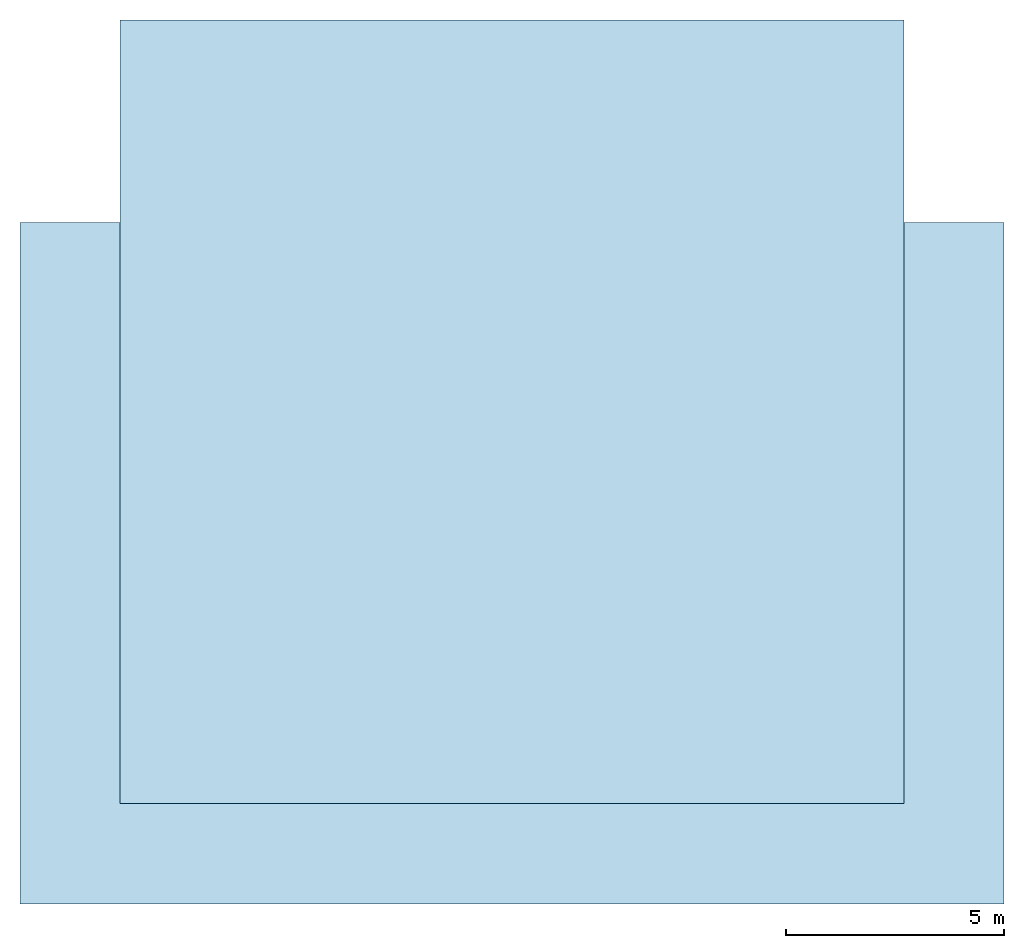
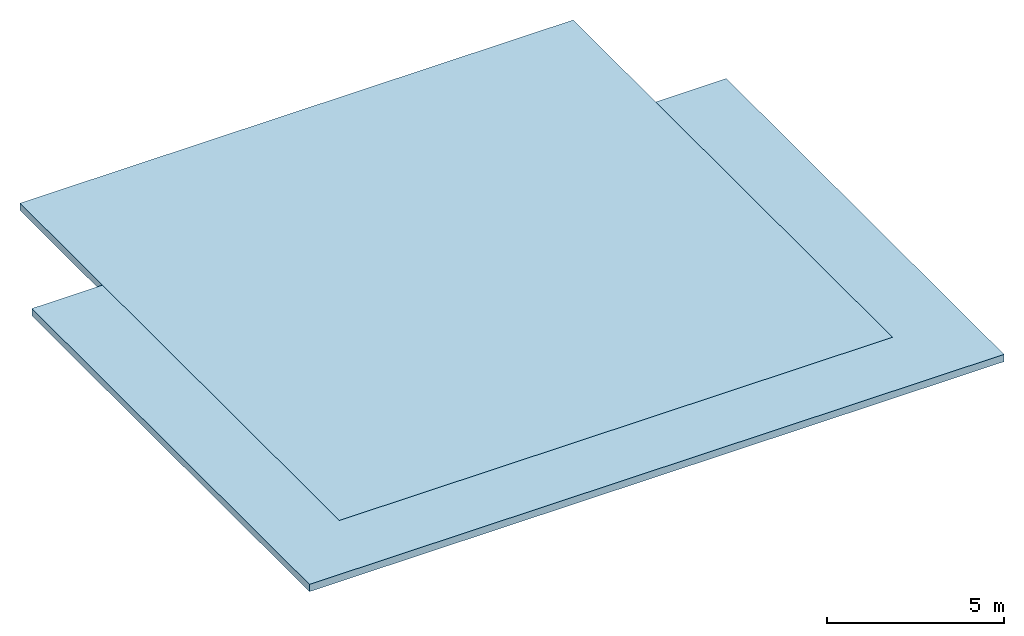
# One storey: 2 slabs.
"""IFC4 building model written with IfcOpenShell, lengths in metres."""

from ifc_helpers import new_model, si_unit, direction, frame, origin, place, context, subcontext, project, spatial, polyline, outline, extrude, material, layer, layer_set, type_object, element, save


model = new_model("IFC4")

# Units and contexts
model_context = context("Model", 3, precision=1e-05, world=origin(), true_north=direction((0.0, 1.0)))
body_context = subcontext(model_context, "Body", "Model", "MODEL_VIEW")
ifc_project = project(units=[si_unit("LENGTHUNIT", "METRE"), si_unit("AREAUNIT", "SQUARE_METRE"), si_unit("VOLUMEUNIT", "CUBIC_METRE"), si_unit("PLANEANGLEUNIT", "RADIAN"), si_unit("MASSUNIT", "GRAM", prefix="KILO")], contexts=[model_context])

# Site, building, storey
site_placement = place(None, origin())
site = spatial("IfcSite", under=ifc_project, at=site_placement, CompositionType="ELEMENT")
building_placement = place(site_placement, origin())
building = spatial("IfcBuilding", under=site, at=building_placement, Name="Malebo Sky Hospital", CompositionType="ELEMENT")
storey_placement = place(building_placement, frame((0.0, 0.0, 294.5)))
storey = spatial("IfcBuildingStorey", under=building, at=storey_placement, Name="ROOF", CompositionType="ELEMENT", Elevation=294.5)

# Slabs
ifc_material = material(Name="Concrete C40/50", Category="concrete")
ifc_layer = layer(ifc_material, 0.25)
ifc_layer_set = layer_set([ifc_layer], Name="ROOF SLAB 250")
slab_type = type_object("IfcSlabType", Name="ROOF SLAB 250", PredefinedType="ROOF", material=ifc_layer_set)
slab_1_placement = place(storey_placement, origin())
element("IfcSlab", 1, at=slab_1_placement, inside=storey, type_object=slab_type, Name="Core roof over the lift motor rooms and stair heads", PredefinedType="ROOF", context=body_context, shape_type="SweptSolid", body=[
    extrude(outline(polyline([(69.0, 53.0), (69.0, 71.0), (51.0, 71.0), (51.0, 53.0), (69.0, 53.0)])), origin(), (0.0, 0.0, 1.0), 0.25),
])
slab_2_placement = place(storey_placement, origin())
element("IfcSlab", 2, at=slab_2_placement, inside=storey, type_object=slab_type, Name="Roof plant corridor canopy", PredefinedType="ROOF", context=body_context, shape_type="SweptSolid", body=[
    extrude(outline(polyline([(69.0, 66.35009765625), (69.0, 53.0), (51.0, 53.0), (51.0, 66.35009765625), (48.699951171875, 66.35009765625), (48.699951171875, 50.699951171875), (71.300048828125, 50.699951171875), (71.300048828125, 66.35009765625), (69.0, 66.35009765625)])), origin(), (0.0, 0.0, 1.0), 0.25),
])

save(model, "model.ifc")
